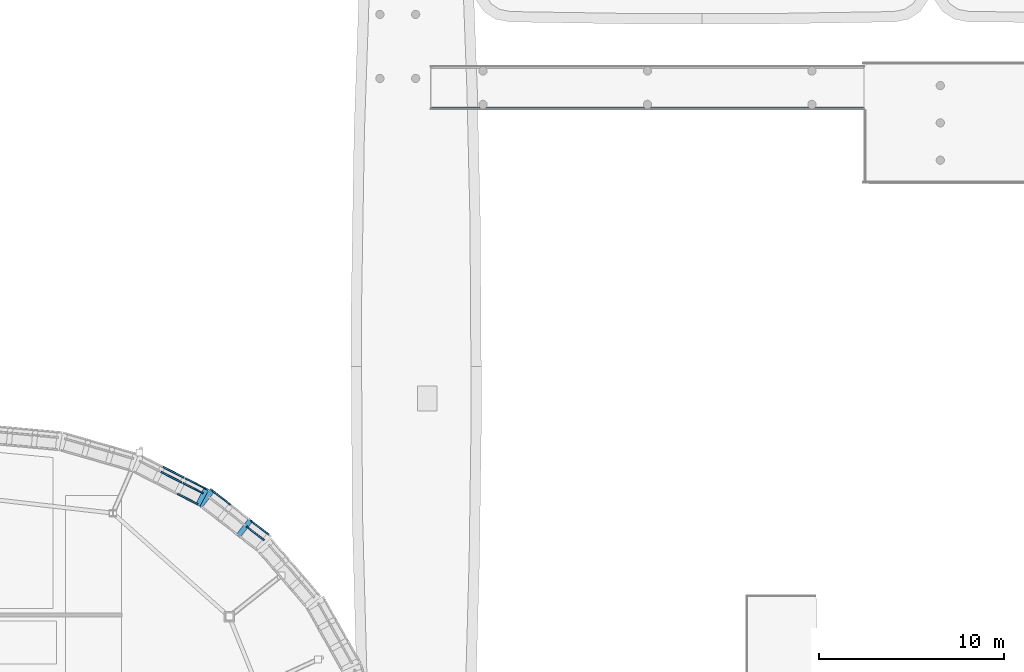
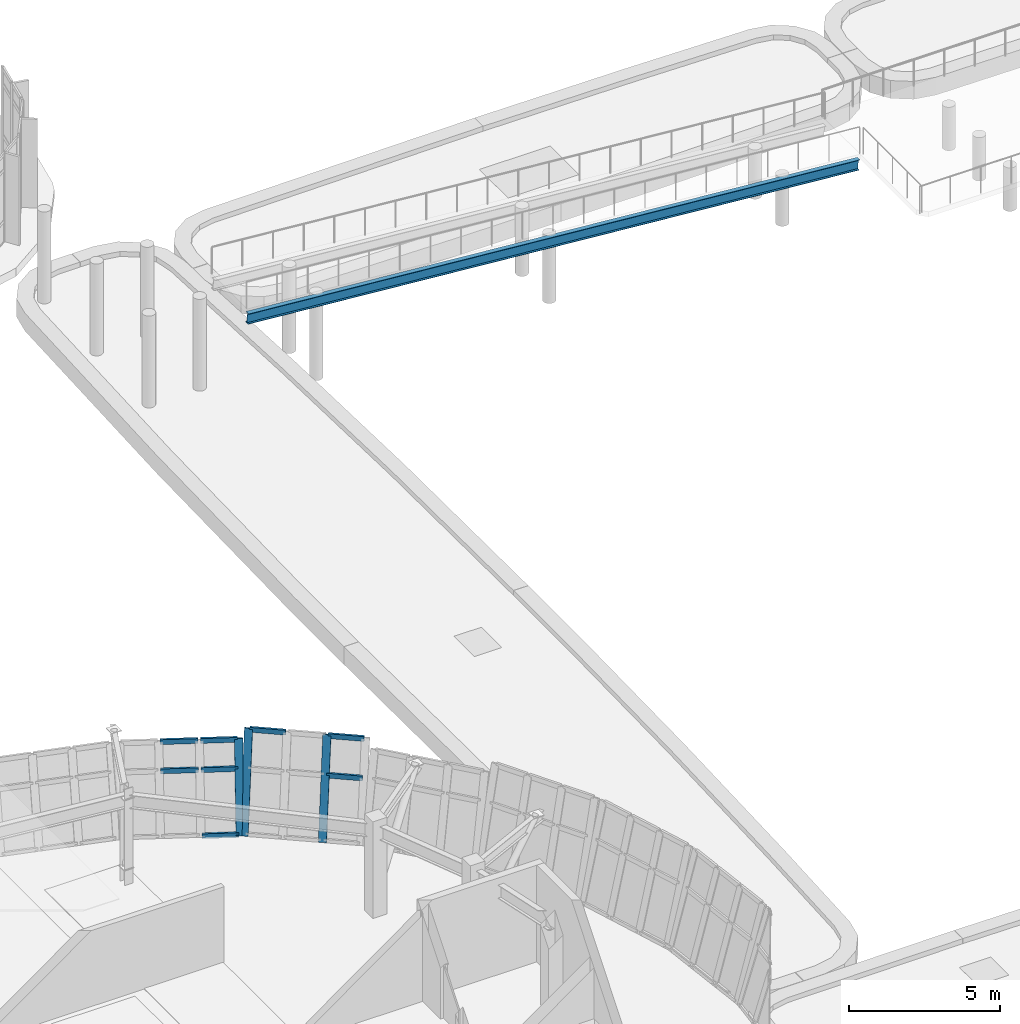
# One storey, part 27 of 111: 11 members, 1 beam, 2 elements without a shape of their own.
"""IFC4 building model written with IfcOpenShell, lengths in metres."""

from ifc_helpers import new_model, si_unit, direction, frame, origin, origin_2d, place, context, subcontext, project, spatial, rectangle, i_section, extrude, material, material_profile, profile_set, type_object, element, aggregate, save


model = new_model("IFC4")

# Units and contexts
model_context = context("Model", 3, precision=1e-05, world=origin(), true_north=direction((0.0, 1.0)))
body_context = subcontext(model_context, "Body", "Model", "MODEL_VIEW")
ifc_project = project(units=[si_unit("LENGTHUNIT", "METRE"), si_unit("AREAUNIT", "SQUARE_METRE"), si_unit("VOLUMEUNIT", "CUBIC_METRE"), si_unit("PLANEANGLEUNIT", "RADIAN"), si_unit("MASSUNIT", "GRAM", prefix="KILO")], contexts=[model_context])

# Site, building, storey
site_placement = place(None, origin())
site = spatial("IfcSite", under=ifc_project, at=site_placement, CompositionType="ELEMENT")
building_placement = place(site_placement, origin())
building = spatial("IfcBuilding", under=site, at=building_placement, Name="Corveleigh Park Community Centre", CompositionType="ELEMENT")
storey_placement = place(building_placement, frame((0.0, 0.0, 4.800048828125)))
storey = spatial("IfcBuildingStorey", under=building, at=storey_placement, Name="L01", CompositionType="ELEMENT", Elevation=4.800048828125)

# Beam
ifc_material_1 = material(Name="Steel S355", Category="steel")
ifc_material_profile_1 = material_profile(ifc_material_1, i_section(OverallWidth=0.1787109375, OverallDepth=0.409423828125, WebThickness=0.0087890625, FlangeThickness=0.014404296875, at=origin_2d()), Name="UKB 406x178x67", Category="steel")
ifc_profile_set_1 = profile_set([ifc_material_profile_1], Name="Steel S355")
beam_type = type_object("IfcBeamType", Name="BM-STL-UKB406x67", PredefinedType="BEAM", material=ifc_profile_set_1)
beam_placement = place(storey_placement, frame((78.56005859375, 65.679931640625, 1.53662109375), z_axis=(-0.996545686293, 0.0, 0.083046343271), x_axis=(0.0, -1.0, 0.0)))
element("IfcBeam", 1, at=beam_placement, inside=storey, type_object=beam_type, Name="Courtyard West Roof Promenade Ramp Upper Stringer L", PredefinedType="BEAM", context=body_context, shape_type="SweptSolid", body=[
    extrude(i_section(OverallWidth=0.1787109375, OverallDepth=0.409423828125, WebThickness=0.0087890625, FlangeThickness=0.014404296875, at=origin_2d()), origin(), (0.0, 0.0, 1.0), 23.40087890625),
])

# Curtain wall, members
ifc_material_2 = material(Name="Anodised aluminium 6063-T6", Category="aluminium")
curtain_wall_type = type_object("IfcCurtainWallType", Name="CW-SYS-V1-DRUM", PredefinedType="NOTDEFINED", material=ifc_material_2)
curtain_wall_1_placement = place(storey_placement, origin())
curtain_wall_1 = element("IfcCurtainWall", 2, at=curtain_wall_1_placement, inside=storey, type_object=curtain_wall_type, Name="Main Hall Flared Drum CW 166", PredefinedType="NOTDEFINED")
ifc_material_profile_2 = material_profile(ifc_material_2, rectangle(XDim=0.0849609375, YDim=0.27490234375, at=origin_2d()), Name="ALU-M85x275", Category="aluminium")
ifc_profile_set_2 = profile_set([ifc_material_profile_2], Name="Anodised aluminium 6063-T6")
member_type_1 = type_object("IfcMemberType", Name="CWM-85x275", PredefinedType="MULLION", material=ifc_profile_set_2)
member_1_placement = place(storey_placement, frame((44.78173828125, 42.57666015625, 0.0), z_axis=(0.174913502931, 0.223777816087, 0.958816330441), x_axis=(-0.59047209918, -0.755427994987, 0.284026837606)))
member_1 = element("IfcMember", 3, at=member_1_placement, type_object=member_type_1, Name="CW02 mullion 2", PredefinedType="MULLION", context=body_context, shape_type="SweptSolid", body=[
    extrude(rectangle(XDim=0.0849609375, YDim=0.27490234375, at=origin_2d()), origin(), (0.0, 0.0, 1.0), 3.76708984375),
])
member_2_placement = place(storey_placement, frame((42.720458984375, 44.187744140625, 0.0), z_axis=(0.174913502931, 0.223777816087, 0.958816330441), x_axis=(-0.59047209918, -0.755427994987, 0.284026837606)))
member_2 = element("IfcMember", 4, at=member_2_placement, type_object=member_type_1, Name="CW02 mullion 4", PredefinedType="MULLION", context=body_context, shape_type="SweptSolid", body=[
    extrude(rectangle(XDim=0.0849609375, YDim=0.27490234375, at=origin_2d()), origin(), (0.0, 0.0, 1.0), 3.76708984375),
])

# Curtain wall, member
curtain_wall_2_placement = place(storey_placement, origin())
curtain_wall_2 = element("IfcCurtainWall", 5, at=curtain_wall_2_placement, inside=storey, type_object=curtain_wall_type, Name="Main Hall Flared Drum CW 167", PredefinedType="NOTDEFINED")
member_3_placement = place(storey_placement, frame((42.607177734375, 44.25927734375, 0.0), z_axis=(0.128809036941, 0.252958871099, 0.958863932753), x_axis=(-0.43510071475, -0.85446322891, 0.283866092489)))
member_3 = element("IfcMember", 6, at=member_3_placement, type_object=member_type_1, Name="CW02 mullion 1", PredefinedType="MULLION", context=body_context, shape_type="SweptSolid", body=[
    extrude(rectangle(XDim=0.0849609375, YDim=0.27490234375, at=origin_2d()), origin(), (0.0, 0.0, 1.0), 3.406005859375),
])

# Member
ifc_material_profile_3 = material_profile(ifc_material_2, rectangle(XDim=0.080078125, YDim=0.195068359375, at=origin_2d()), Name="ALU-T80x195", Category="aluminium")
ifc_profile_set_3 = profile_set([ifc_material_profile_3], Name="Anodised aluminium 6063-T6")
member_type_2 = type_object("IfcMemberType", Name="CWT-80x195", PredefinedType="USERDEFINED", material=ifc_profile_set_3)
member_4_placement = place(storey_placement, frame((46.172607421875, 42.33544921875, 2.25), z_axis=(-0.787873462952, 0.615837158977, 0.0), x_axis=(-0.615837158977, -0.787873462952, 0.0)))
member_4 = element("IfcMember", 7, at=member_4_placement, type_object=member_type_2, Name="CW02 transom 1.2", ObjectType="TRANSOM", PredefinedType="USERDEFINED", context=body_context, shape_type="SweptSolid", body=[
    extrude(rectangle(XDim=0.080078125, YDim=0.195068359375, at=origin_2d()), origin(), (0.0, 0.0, 1.0), 1.201904296875),
])

member_5_placement = place(storey_placement, frame((46.41357421875, 42.64404296875, 3.572021484375), z_axis=(-0.787796412937, 0.615935720481, 0.0), x_axis=(-0.615935720481, -0.787796412937, 0.0)))
member_5 = element("IfcMember", 8, at=member_5_placement, type_object=member_type_2, Name="CW02 transom 1.3", ObjectType="TRANSOM", PredefinedType="USERDEFINED", context=body_context, shape_type="SweptSolid", body=[
    extrude(rectangle(XDim=0.080078125, YDim=0.195068359375, at=origin_2d()), origin(), (0.0, 0.0, 1.0), 1.201904296875),
])

member_6_placement = place(storey_placement, frame((44.3525390625, 44.255126953125, 3.572021484375), z_axis=(-0.787873462952, 0.615837158977, 0.0), x_axis=(-0.615837158977, -0.787873462952, 0.0)))
member_6 = element("IfcMember", 9, at=member_6_placement, type_object=member_type_2, Name="CW02 transom 3.3", ObjectType="TRANSOM", PredefinedType="USERDEFINED", context=body_context, shape_type="SweptSolid", body=[
    extrude(rectangle(XDim=0.080078125, YDim=0.195068359375, at=origin_2d()), origin(), (0.0, 0.0, 1.0), 1.201904296875),
])

aggregate(curtain_wall_1, [member_1, member_2, member_4, member_5, member_6])

member_7_placement = place(storey_placement, frame((42.57470703125, 44.2890625, 0.0400390625), z_axis=(-0.891024153867, 0.453955897886, 0.0), x_axis=(-0.453955897886, -0.891024153867, 0.0)))
member_7 = element("IfcMember", 10, at=member_7_placement, type_object=member_type_2, Name="CW02 transom 1.1", ObjectType="TRANSOM", PredefinedType="USERDEFINED", context=body_context, shape_type="SweptSolid", body=[
    extrude(rectangle(XDim=0.080078125, YDim=0.195068359375, at=origin_2d()), origin(), (0.0, 0.0, 1.0), 1.21435546875),
])

member_8_placement = place(storey_placement, frame((42.87158203125, 44.872314453125, 2.25), z_axis=(-0.891105466146, 0.453796262882, 0.0), x_axis=(-0.453796262882, -0.891105466146, 0.0)))
member_8 = element("IfcMember", 11, at=member_8_placement, type_object=member_type_2, Name="CW02 transom 1.2", ObjectType="TRANSOM", PredefinedType="USERDEFINED", context=body_context, shape_type="SweptSolid", body=[
    extrude(rectangle(XDim=0.080078125, YDim=0.195068359375, at=origin_2d()), origin(), (0.0, 0.0, 1.0), 1.21435546875),
])

member_9_placement = place(storey_placement, frame((43.002685546875, 45.129638671875, 3.225830078125), z_axis=(-0.891024153867, 0.453955897886, 0.0), x_axis=(-0.453955897886, -0.891024153867, 0.0)))
member_9 = element("IfcMember", 12, at=member_9_placement, type_object=member_type_2, Name="CW02 transom 1.3", ObjectType="TRANSOM", PredefinedType="USERDEFINED", context=body_context, shape_type="SweptSolid", body=[
    extrude(rectangle(XDim=0.080078125, YDim=0.195068359375, at=origin_2d()), origin(), (0.0, 0.0, 1.0), 1.21435546875),
])

member_10_placement = place(storey_placement, frame((41.7138671875, 45.4619140625, 2.25), z_axis=(-0.89110027264, 0.453806461061, 0.0), x_axis=(-0.453806461061, -0.89110027264, 0.0)))
member_10 = element("IfcMember", 13, at=member_10_placement, type_object=member_type_2, Name="CW02 transom 2.2", ObjectType="TRANSOM", PredefinedType="USERDEFINED", context=body_context, shape_type="SweptSolid", body=[
    extrude(rectangle(XDim=0.080078125, YDim=0.195068359375, at=origin_2d()), origin(), (0.0, 0.0, 1.0), 1.2568359375),
])

member_11_placement = place(storey_placement, frame((41.844970703125, 45.719482421875, 3.225830078125), z_axis=(-0.89110027264, 0.453806461061, 0.0), x_axis=(-0.453806461061, -0.89110027264, 0.0)))
member_11 = element("IfcMember", 14, at=member_11_placement, type_object=member_type_2, Name="CW02 transom 2.3", ObjectType="TRANSOM", PredefinedType="USERDEFINED", context=body_context, shape_type="SweptSolid", body=[
    extrude(rectangle(XDim=0.080078125, YDim=0.195068359375, at=origin_2d()), origin(), (0.0, 0.0, 1.0), 1.2568359375),
])

aggregate(curtain_wall_2, [member_3, member_7, member_8, member_9, member_10, member_11])

save(model, "model.ifc")
